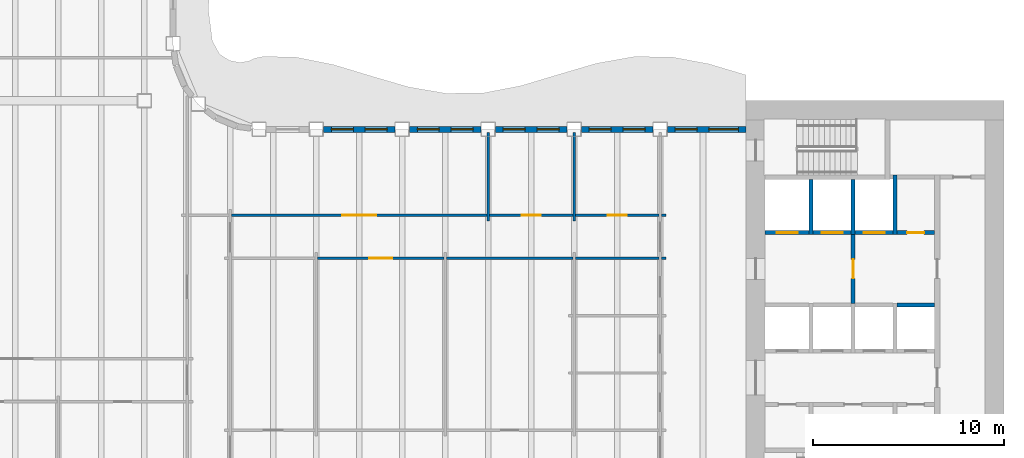
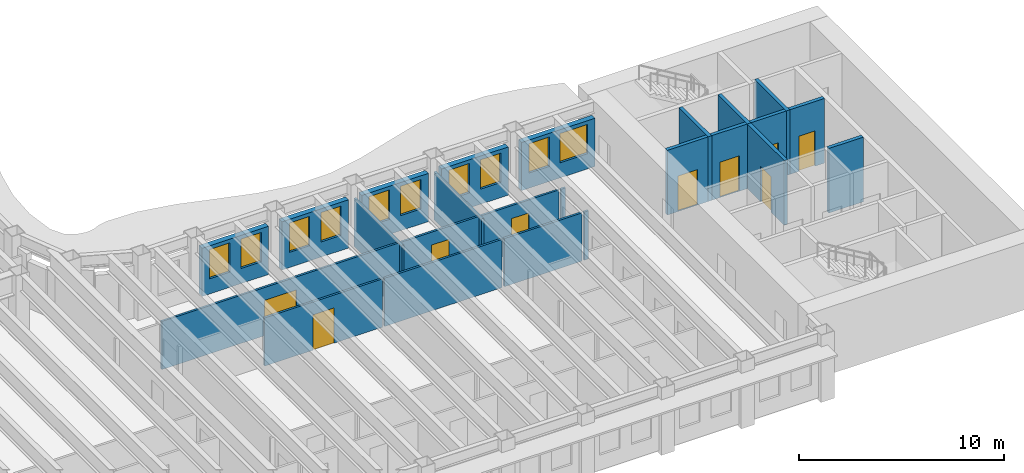
# One storey, part 7 of 17: 24 walls, 10 windows, 9 doors, 19 openings.
"""IFC4 building model written with IfcOpenShell, lengths in metres."""

from ifc_helpers import new_model, si_unit, direction, frame, frame_2d, origin, place, context, subcontext, project, spatial, rectangle, extrude, material, layer, layer_set, type_object, element, fill, save


model = new_model("IFC4")

# Units and contexts
model_context = context("Model", 3, precision=1e-05, world=origin(), true_north=direction((0.0, 1.0)))
body_context = subcontext(model_context, "Body", "Model", "MODEL_VIEW")
ifc_project = project(units=[si_unit("LENGTHUNIT", "METRE"), si_unit("AREAUNIT", "SQUARE_METRE"), si_unit("VOLUMEUNIT", "CUBIC_METRE"), si_unit("PLANEANGLEUNIT", "RADIAN"), si_unit("MASSUNIT", "GRAM", prefix="KILO")], contexts=[model_context])

# Site, building, storey
site_placement = place(None, origin())
site = spatial("IfcSite", under=ifc_project, at=site_placement, CompositionType="ELEMENT")
building_placement = place(site_placement, origin())
building = spatial("IfcBuilding", under=site, at=building_placement, Name="Sennacour Bend Tower", CompositionType="ELEMENT")
storey_placement = place(building_placement, frame((0.0, 0.0, 219.0)))
storey = spatial("IfcBuildingStorey", under=building, at=storey_placement, Name="L50", CompositionType="ELEMENT", Elevation=219.0)

# Walls
ifc_material_1 = material(Name="Plasterboard partition on steel studs", Category="steel")
ifc_layer_1 = layer(ifc_material_1, 0.1201171875, Name="Plasterboard partition on steel studs", Category="steel")
ifc_layer_set_1 = layer_set([ifc_layer_1], Name="Plasterboard partition on steel studs")
wall_type_1 = type_object("IfcWallType", Name="Partition 120", PredefinedType="PARTITIONING", material=ifc_layer_set_1)
for number, where, z_axis, x_axis, name in (
    (1, (40.5, 16.199951171875, 0.0), (0.0, 0.0, 1.0), (0.0, 1.0, 0.0), "P-L50-W029a"),
    (2, (45.0, 16.199951171875, 0.0), (0.0, 0.0, 1.0), (0.0, 1.0, 0.0), "P-L50-W032a"),
):
    element("IfcWall", number, at=place(storey_placement, frame(where, z_axis=z_axis, x_axis=x_axis)), inside=storey, type_object=wall_type_1, Name=name, PredefinedType="PARTITIONING", context=body_context, shape_type="SweptSolid", body=[
        extrude(rectangle(XDim=4.650146484375, YDim=0.1201171875, at=frame_2d((2.3251953125, 0.0))), origin(), (0.0, 0.0, 1.0), 2.8701171875),
    ])

# Wall, opening, door
wall_1_placement = place(storey_placement, frame((31.56005859375, 14.25, 0.0), z_axis=(0.0, 0.0, 1.0), x_axis=(1.0, 0.0, 0.0)))
wall_1 = element("IfcWall", 3, at=wall_1_placement, inside=storey, type_object=wall_type_1, Name="P-L50-W065ac", PredefinedType="PARTITIONING", context=body_context, shape_type="SweptSolid", body=[
    extrude(rectangle(XDim=6.6298828125, YDim=0.1201171875, at=frame_2d((3.31494140625, 0.0))), origin(), (0.0, 0.0, 1.0), 2.8701171875),
])
opening_1_placement = place(wall_1_placement, frame((2.71484375, 0.0, 0.0)))
opening_1 = element("IfcOpeningElement", 4, at=opening_1_placement, cuts=wall_1, Name="Opening OD", PredefinedType="OPENING", context=body_context, shape_type="SweptSolid", body=[
    extrude(rectangle(XDim=1.199951171875, YDim=2.10009765625, at=frame_2d((0.60009765625, 1.050048828125))), frame((0.0, 0.070068359375, 0.0), z_axis=(0.0, -1.0, 0.0), x_axis=(1.0, 0.0, 0.0)), (0.0, 0.0, 1.0), 0.14013671875),
])
ifc_material_2 = material(Name="Timber", Category="wood")
door_type_1 = type_object("IfcDoorType", Name="DR-OFFICE-1200", OperationType="NOTDEFINED", PredefinedType="DOOR", material=ifc_material_2)
door_1_placement = place(opening_1_placement, origin())
door_1 = element("IfcDoor", 5, at=door_1_placement, inside=storey, type_object=door_type_1, Name="Door", OperationType="SINGLE_SWING_LEFT", OverallHeight=2.10009765625, OverallWidth=1.199951171875, PredefinedType="DOOR", context=body_context, shape_type="SweptSolid", body=[
    extrude(rectangle(XDim=1.199951171875, YDim=2.10009765625, at=frame_2d((0.60009765625, 1.050048828125))), frame((0.0, 0.02490234375, 0.0), z_axis=(0.0, -1.0, 0.0), x_axis=(1.0, 0.0, 0.0)), (0.0, 0.0, 1.0), 0.050048828125),
])
fill(opening_1, door_1)

# Walls
wall_2_placement = place(storey_placement, frame((38.31005859375, 14.25, 0.0), z_axis=(0.0, 0.0, 1.0), x_axis=(1.0, 0.0, 0.0)))
element("IfcWall", 6, at=wall_2_placement, inside=storey, type_object=wall_type_1, Name="P-L50-W065ad", PredefinedType="PARTITIONING", context=body_context, shape_type="SweptSolid", body=[
    extrude(rectangle(XDim=6.6298828125, YDim=0.1201171875, at=frame_2d((3.31494140625, 0.0))), origin(), (0.0, 0.0, 1.0), 2.8701171875),
])
wall_3_placement = place(storey_placement, frame((45.06005859375, 14.25, 0.0), z_axis=(0.0, 0.0, 1.0), x_axis=(1.0, 0.0, 0.0)))
element("IfcWall", 7, at=wall_3_placement, inside=storey, type_object=wall_type_1, Name="P-L50-W065ae", PredefinedType="PARTITIONING", context=body_context, shape_type="SweptSolid", body=[
    extrude(rectangle(XDim=4.3798828125, YDim=0.1201171875, at=frame_2d((2.18994140625, 0.0))), origin(), (0.0, 0.0, 1.0), 2.8701171875),
])
wall_4_placement = place(storey_placement, frame((49.56005859375, 14.25, 0.0), z_axis=(0.0, 0.0, 1.0), x_axis=(1.0, 0.0, 0.0)))
element("IfcWall", 8, at=wall_4_placement, inside=storey, type_object=wall_type_1, Name="P-L50-W065af", PredefinedType="PARTITIONING", context=body_context, shape_type="SweptSolid", body=[
    extrude(rectangle(XDim=0.239990234375, YDim=0.1201171875, at=frame_2d((0.1201171875, 0.0))), origin(), (0.0, 0.0, 1.0), 2.8701171875),
])

# Wall, opening, door
wall_5_placement = place(storey_placement, frame((27.06005859375, 16.5, 0.0), z_axis=(0.0, 0.0, 1.0), x_axis=(1.0, 0.0, 0.0)))
wall_5 = element("IfcWall", 9, at=wall_5_placement, inside=storey, type_object=wall_type_1, Name="P-L50-W068ac", PredefinedType="PARTITIONING", context=body_context, shape_type="SweptSolid", body=[
    extrude(rectangle(XDim=13.3798828125, YDim=0.1201171875, at=frame_2d((6.68994140625, 0.0))), origin(), (0.0, 0.0, 1.0), 2.8701171875),
])
opening_2_placement = place(wall_5_placement, frame((5.789794921875, 0.0, 0.0)))
opening_2 = element("IfcOpeningElement", 10, at=opening_2_placement, cuts=wall_5, Name="Opening OD3", PredefinedType="OPENING", context=body_context, shape_type="SweptSolid", body=[
    extrude(rectangle(XDim=1.800048828125, YDim=2.10009765625, at=frame_2d((0.89990234375, 1.050048828125))), frame((0.0, 0.070068359375, 0.0), z_axis=(0.0, -1.0, 0.0), x_axis=(1.0, 0.0, 0.0)), (0.0, 0.0, 1.0), 0.14013671875),
])
door_type_2 = type_object("IfcDoorType", Name="DR-OFFICE-1800", OperationType="NOTDEFINED", PredefinedType="DOOR", material=ifc_material_2)
door_2_placement = place(opening_2_placement, origin())
door_2 = element("IfcDoor", 11, at=door_2_placement, inside=storey, type_object=door_type_2, Name="Door", OperationType="DOUBLE_DOOR_SINGLE_SWING", OverallHeight=2.10009765625, OverallWidth=1.800048828125, PredefinedType="DOOR", context=body_context, shape_type="SweptSolid", body=[
    extrude(rectangle(XDim=1.800048828125, YDim=2.10009765625, at=frame_2d((0.89990234375, 1.050048828125))), frame((0.0, 0.02490234375, 0.0), z_axis=(0.0, -1.0, 0.0), x_axis=(1.0, 0.0, 0.0)), (0.0, 0.0, 1.0), 0.050048828125),
])
fill(opening_2, door_2)

wall_6_placement = place(storey_placement, frame((40.56005859375, 16.5, 0.0), z_axis=(0.0, 0.0, 1.0), x_axis=(1.0, 0.0, 0.0)))
wall_6 = element("IfcWall", 12, at=wall_6_placement, inside=storey, type_object=wall_type_1, Name="P-L50-W068ad", PredefinedType="PARTITIONING", context=body_context, shape_type="SweptSolid", body=[
    extrude(rectangle(XDim=4.3798828125, YDim=0.1201171875, at=frame_2d((2.18994140625, 0.0))), origin(), (0.0, 0.0, 1.0), 2.8701171875),
])
opening_3_placement = place(wall_6_placement, frame((1.68994140625, 0.0, 0.0)))
opening_3 = element("IfcOpeningElement", 13, at=opening_3_placement, cuts=wall_6, Name="Opening OD2", PredefinedType="OPENING", context=body_context, shape_type="SweptSolid", body=[
    extrude(rectangle(XDim=1.0, YDim=2.10009765625, at=frame_2d((0.5, 1.050048828125))), frame((0.0, 0.070068359375, 0.0), z_axis=(0.0, -1.0, 0.0), x_axis=(1.0, 0.0, 0.0)), (0.0, 0.0, 1.0), 0.14013671875),
])
door_type_3 = type_object("IfcDoorType", Name="DR-OFFICE-1000", OperationType="NOTDEFINED", PredefinedType="DOOR", material=ifc_material_2)
door_3_placement = place(opening_3_placement, origin())
door_3 = element("IfcDoor", 14, at=door_3_placement, inside=storey, type_object=door_type_3, Name="Door", OperationType="SINGLE_SWING_LEFT", OverallHeight=2.10009765625, OverallWidth=1.0, PredefinedType="DOOR", context=body_context, shape_type="SweptSolid", body=[
    extrude(rectangle(XDim=1.0, YDim=2.10009765625, at=frame_2d((0.5, 1.050048828125))), frame((0.0, 0.02490234375, 0.0), z_axis=(0.0, -1.0, 0.0), x_axis=(1.0, 0.0, 0.0)), (0.0, 0.0, 1.0), 0.050048828125),
])
fill(opening_3, door_3)

wall_7_placement = place(storey_placement, frame((45.06005859375, 16.5, 0.0), z_axis=(0.0, 0.0, 1.0), x_axis=(1.0, 0.0, 0.0)))
wall_7 = element("IfcWall", 15, at=wall_7_placement, inside=storey, type_object=wall_type_1, Name="P-L50-W068ae", PredefinedType="PARTITIONING", context=body_context, shape_type="SweptSolid", body=[
    extrude(rectangle(XDim=4.3798828125, YDim=0.1201171875, at=frame_2d((2.18994140625, 0.0))), origin(), (0.0, 0.0, 1.0), 2.8701171875),
])
opening_4_placement = place(wall_7_placement, frame((1.68994140625, 0.0, 0.0)))
opening_4 = element("IfcOpeningElement", 16, at=opening_4_placement, cuts=wall_7, Name="Opening OD2", PredefinedType="OPENING", context=body_context, shape_type="SweptSolid", body=[
    extrude(rectangle(XDim=1.0, YDim=2.10009765625, at=frame_2d((0.5, 1.050048828125))), frame((0.0, 0.070068359375, 0.0), z_axis=(0.0, -1.0, 0.0), x_axis=(1.0, 0.0, 0.0)), (0.0, 0.0, 1.0), 0.14013671875),
])
door_4_placement = place(opening_4_placement, origin())
door_4 = element("IfcDoor", 17, at=door_4_placement, inside=storey, type_object=door_type_3, Name="Door", OperationType="SINGLE_SWING_LEFT", OverallHeight=2.10009765625, OverallWidth=1.0, PredefinedType="DOOR", context=body_context, shape_type="SweptSolid", body=[
    extrude(rectangle(XDim=1.0, YDim=2.10009765625, at=frame_2d((0.5, 1.050048828125))), frame((0.0, 0.02490234375, 0.0), z_axis=(0.0, -1.0, 0.0), x_axis=(1.0, 0.0, 0.0)), (0.0, 0.0, 1.0), 0.050048828125),
])
fill(opening_4, door_4)

# Wall
wall_8_placement = place(storey_placement, frame((49.56005859375, 16.5, 0.0), z_axis=(0.0, 0.0, 1.0), x_axis=(1.0, 0.0, 0.0)))
element("IfcWall", 18, at=wall_8_placement, inside=storey, type_object=wall_type_1, Name="P-L50-W068af", PredefinedType="PARTITIONING", context=body_context, shape_type="SweptSolid", body=[
    extrude(rectangle(XDim=0.239990234375, YDim=0.1201171875, at=frame_2d((0.1201171875, 0.0))), origin(), (0.0, 0.0, 1.0), 2.8701171875),
])

# Wall, opening, door
ifc_material_3 = material(Name="Fire-rated plasterboard partition on steel studs", Category="steel")
ifc_layer_2 = layer(ifc_material_3, 0.199951171875, Name="Fire-rated plasterboard partition on steel studs", Category="steel")
ifc_layer_set_2 = layer_set([ifc_layer_2], Name="Fire-rated plasterboard partition on steel studs")
wall_type_2 = type_object("IfcWallType", Name="Rated partition 200", PredefinedType="PARTITIONING", material=ifc_layer_set_2)
wall_9_placement = place(storey_placement, frame((61.89990234375, 15.60009765625, 0.0), z_axis=(0.0, 0.0, 1.0), x_axis=(1.0, 0.0, 0.0)))
wall_9 = element("IfcWall", 19, at=wall_9_placement, inside=storey, type_object=wall_type_2, Name="P-L50-W067", PredefinedType="PARTITIONING", context=body_context, shape_type="SweptSolid", body=[
    extrude(rectangle(XDim=1.9501953125, YDim=0.199951171875, at=frame_2d((0.97509765625, 0.0))), origin(), (0.0, 0.0, 1.0), 3.85009765625),
])
opening_5_placement = place(wall_9_placement, frame((0.525146484375, 0.0, 0.0)))
opening_5 = element("IfcOpeningElement", 20, at=opening_5_placement, cuts=wall_9, Name="Opening SV", PredefinedType="OPENING", context=body_context, shape_type="SweptSolid", body=[
    extrude(rectangle(XDim=0.89990234375, YDim=2.10009765625, at=frame_2d((0.449951171875, 1.050048828125))), frame((0.0, 0.10986328125, 0.0), z_axis=(0.0, -1.0, 0.0), x_axis=(1.0, 0.0, 0.0)), (0.0, 0.0, 1.0), 0.219970703125),
])
ifc_material_4 = material(Name="Painted steel", Category="steel")
door_type_4 = type_object("IfcDoorType", Name="DR-SERVICE-900", OperationType="NOTDEFINED", PredefinedType="DOOR", material=ifc_material_4)
door_5_placement = place(opening_5_placement, origin())
door_5 = element("IfcDoor", 21, at=door_5_placement, inside=storey, type_object=door_type_4, Name="Door", OperationType="SINGLE_SWING_RIGHT", OverallHeight=2.10009765625, OverallWidth=0.89990234375, PredefinedType="DOOR", context=body_context, shape_type="SweptSolid", body=[
    extrude(rectangle(XDim=0.89990234375, YDim=2.10009765625, at=frame_2d((0.449951171875, 1.050048828125))), frame((0.0, 0.02490234375, 0.0), z_axis=(0.0, -1.0, 0.0), x_axis=(1.0, 0.0, 0.0)), (0.0, 0.0, 1.0), 0.050048828125),
])
fill(opening_5, door_5)

ifc_layer_3 = layer(ifc_material_3, 0.199951171875, Name="Fire-rated plasterboard partition on steel studs", Category="steel")
ifc_layer_set_3 = layer_set([ifc_layer_3], Name="Fire-rated plasterboard partition on steel studs")
wall_type_3 = type_object("IfcWallType", Name="Rated partition 200 EI 90", PredefinedType="PARTITIONING", material=ifc_layer_set_3)
wall_10_placement = place(storey_placement, frame((59.60009765625, 11.89990234375, 0.0), z_axis=(0.0, 0.0, 1.0), x_axis=(0.0, 1.0, 0.0)))
wall_10 = element("IfcWall", 22, at=wall_10_placement, inside=storey, type_object=wall_type_3, Name="P-L50-W039", PredefinedType="PARTITIONING", context=body_context, shape_type="SweptSolid", body=[
    extrude(rectangle(XDim=3.60009765625, YDim=0.199951171875, at=frame_2d((1.800048828125, 0.0))), origin(), (0.0, 0.0, 1.0), 3.85009765625),
])
opening_6_placement = place(wall_10_placement, frame((1.300048828125, 0.0, 0.0)))
opening_6 = element("IfcOpeningElement", 23, at=opening_6_placement, cuts=wall_10, Name="Opening FD2", PredefinedType="OPENING", context=body_context, shape_type="SweptSolid", body=[
    extrude(rectangle(XDim=1.0, YDim=2.10009765625, at=frame_2d((0.5, 1.050048828125))), frame((0.0, 0.10986328125, 0.0), z_axis=(0.0, -1.0, 0.0), x_axis=(1.0, 0.0, 0.0)), (0.0, 0.0, 1.0), 0.219970703125),
])
door_type_5 = type_object("IfcDoorType", Name="DR-FFL-1000", OperationType="NOTDEFINED", PredefinedType="DOOR", material=ifc_material_4)
door_6_placement = place(opening_6_placement, origin())
door_6 = element("IfcDoor", 24, at=door_6_placement, inside=storey, type_object=door_type_5, Name="Door", OperationType="SINGLE_SWING_LEFT", OverallHeight=2.10009765625, OverallWidth=1.0, PredefinedType="DOOR", context=body_context, shape_type="SweptSolid", body=[
    extrude(rectangle(XDim=1.0, YDim=2.10009765625, at=frame_2d((0.5, 1.050048828125))), frame((0.0, 0.02490234375, 0.0), z_axis=(0.0, -1.0, 0.0), x_axis=(1.0, 0.0, 0.0)), (0.0, 0.0, 1.0), 0.050048828125),
])
fill(opening_6, door_6)

# Wall, openings, windows
ifc_material_5 = material(Name="Warm limestone cladding", Category="masonry")
ifc_layer_4 = layer(ifc_material_5, 0.050048828125, Name="Warm limestone cladding", Category="masonry")
ifc_material_6 = material(Name="Precast concrete C40/50", Category="concrete")
ifc_layer_5 = layer(ifc_material_6, 0.25, Name="Precast concrete C40/50", Category="concrete")
ifc_layer_set_4 = layer_set([ifc_layer_4, ifc_layer_5], Name="Precast concrete C40/50 with limestone cladding")
wall_type_4 = type_object("IfcWallType", Name="STONE-CLAD PRECAST SPANDREL 300", PredefinedType="STANDARD", material=ifc_layer_set_4)
wall_11_placement = place(storey_placement, frame((54.0, 21.0, 0.0), z_axis=(0.0, 0.0, 1.0), x_axis=(-1.0, 0.0, 0.0)))
wall_11 = element("IfcWall", 25, at=wall_11_placement, inside=storey, type_object=wall_type_4, Name="Stone spandrel and pier wall L50 06.00", PredefinedType="STANDARD", context=body_context, shape_type="SweptSolid", body=[
    extrude(rectangle(XDim=4.125, YDim=0.300048828125, at=frame_2d((2.0625, 0.0))), origin(), (0.0, 0.0, 1.0), 2.8701171875),
])
opening_7_placement = place(wall_11_placement, frame((0.39990234375, 0.0, 0.89990234375)))
opening_7 = element("IfcOpeningElement", 26, at=opening_7_placement, cuts=wall_11, Name="Opening W12", PredefinedType="OPENING", context=body_context, shape_type="SweptSolid", body=[
    extrude(rectangle(XDim=1.550048828125, YDim=1.75, at=frame_2d((0.77490234375, 0.875))), frame((0.0, 0.16015625, 0.0), z_axis=(0.0, -1.0, 0.0), x_axis=(1.0, 0.0, 0.0)), (0.0, 0.0, 1.0), 0.320068359375),
])
opening_8_placement = place(wall_11_placement, frame((2.5625, 0.0, 0.89990234375)))
opening_8 = element("IfcOpeningElement", 27, at=opening_8_placement, cuts=wall_11, Name="Opening W23", PredefinedType="OPENING", context=body_context, shape_type="SweptSolid", body=[
    extrude(rectangle(XDim=1.14990234375, YDim=1.75, at=frame_2d((0.574951171875, 0.875))), frame((0.0, 0.16015625, 0.0), z_axis=(0.0, -1.0, 0.0), x_axis=(1.0, 0.0, 0.0)), (0.0, 0.0, 1.0), 0.320068359375),
])
ifc_material_7 = material(Name="Clear low-emissivity glass", Category="glass")
window_type_1 = type_object("IfcWindowType", Name="WIN-RIBBON-1150x1750", PartitioningType="SINGLE_PANEL", PredefinedType="WINDOW", material=ifc_material_7)
window_1_placement = place(opening_8_placement, origin())
window_1 = element("IfcWindow", 28, at=window_1_placement, inside=storey, type_object=window_type_1, Name="Ribbon window L50 06.00.1", OverallHeight=1.75, OverallWidth=1.14990234375, PartitioningType="SINGLE_PANEL", PredefinedType="WINDOW", context=body_context, shape_type="SweptSolid", body=[
    extrude(rectangle(XDim=1.14990234375, YDim=1.75, at=frame_2d((0.574951171875, 0.875))), frame((0.0, 0.030029296875, 0.0), z_axis=(0.0, -1.0, 0.0), x_axis=(1.0, 0.0, 0.0)), (0.0, 0.0, 1.0), 0.06005859375),
])
fill(opening_8, window_1)
window_type_2 = type_object("IfcWindowType", Name="WIN-RIBBON-1550x1750", PartitioningType="SINGLE_PANEL", PredefinedType="WINDOW", material=ifc_material_7)
window_2_placement = place(opening_7_placement, origin())
window_2 = element("IfcWindow", 29, at=window_2_placement, inside=storey, type_object=window_type_2, Name="Ribbon window L50 06.00.0", OverallHeight=1.75, OverallWidth=1.550048828125, PartitioningType="SINGLE_PANEL", PredefinedType="WINDOW", context=body_context, shape_type="SweptSolid", body=[
    extrude(rectangle(XDim=1.550048828125, YDim=1.75, at=frame_2d((0.77490234375, 0.875))), frame((0.0, 0.030029296875, 0.0), z_axis=(0.0, -1.0, 0.0), x_axis=(1.0, 0.0, 0.0)), (0.0, 0.0, 1.0), 0.06005859375),
])
fill(opening_7, window_2)

wall_12_placement = place(storey_placement, frame((49.125, 21.0, 0.0), z_axis=(0.0, 0.0, 1.0), x_axis=(-1.0, 0.0, 0.0)))
wall_12 = element("IfcWall", 30, at=wall_12_placement, inside=storey, type_object=wall_type_4, Name="Stone spandrel and pier wall L50 06.01", PredefinedType="STANDARD", context=body_context, shape_type="SweptSolid", body=[
    extrude(rectangle(XDim=3.75, YDim=0.300048828125, at=frame_2d((1.875, 0.0))), origin(), (0.0, 0.0, 1.0), 2.8701171875),
])
opening_9_placement = place(wall_12_placement, frame((0.41259765625, 0.0, 0.89990234375)))
opening_9 = element("IfcOpeningElement", 31, at=opening_9_placement, cuts=wall_12, Name="Opening W23", PredefinedType="OPENING", context=body_context, shape_type="SweptSolid", body=[
    extrude(rectangle(XDim=1.14990234375, YDim=1.75, at=frame_2d((0.574951171875, 0.875))), frame((0.0, 0.16015625, 0.0), z_axis=(0.0, -1.0, 0.0), x_axis=(1.0, 0.0, 0.0)), (0.0, 0.0, 1.0), 0.320068359375),
])
opening_10_placement = place(wall_12_placement, frame((2.1875, 0.0, 0.89990234375)))
opening_10 = element("IfcOpeningElement", 32, at=opening_10_placement, cuts=wall_12, Name="Opening W23", PredefinedType="OPENING", context=body_context, shape_type="SweptSolid", body=[
    extrude(rectangle(XDim=1.14990234375, YDim=1.75, at=frame_2d((0.574951171875, 0.875))), frame((0.0, 0.16015625, 0.0), z_axis=(0.0, -1.0, 0.0), x_axis=(1.0, 0.0, 0.0)), (0.0, 0.0, 1.0), 0.320068359375),
])
window_3_placement = place(opening_9_placement, origin())
window_3 = element("IfcWindow", 33, at=window_3_placement, inside=storey, type_object=window_type_1, Name="Ribbon window L50 06.01.0", OverallHeight=1.75, OverallWidth=1.14990234375, PartitioningType="SINGLE_PANEL", PredefinedType="WINDOW", context=body_context, shape_type="SweptSolid", body=[
    extrude(rectangle(XDim=1.14990234375, YDim=1.75, at=frame_2d((0.574951171875, 0.875))), frame((0.0, 0.030029296875, 0.0), z_axis=(0.0, -1.0, 0.0), x_axis=(1.0, 0.0, 0.0)), (0.0, 0.0, 1.0), 0.06005859375),
])
fill(opening_9, window_3)
window_4_placement = place(opening_10_placement, origin())
window_4 = element("IfcWindow", 34, at=window_4_placement, inside=storey, type_object=window_type_1, Name="Ribbon window L50 06.01.1", OverallHeight=1.75, OverallWidth=1.14990234375, PartitioningType="SINGLE_PANEL", PredefinedType="WINDOW", context=body_context, shape_type="SweptSolid", body=[
    extrude(rectangle(XDim=1.14990234375, YDim=1.75, at=frame_2d((0.574951171875, 0.875))), frame((0.0, 0.030029296875, 0.0), z_axis=(0.0, -1.0, 0.0), x_axis=(1.0, 0.0, 0.0)), (0.0, 0.0, 1.0), 0.06005859375),
])
fill(opening_10, window_4)

wall_13_placement = place(storey_placement, frame((44.625, 21.0, 0.0), z_axis=(0.0, 0.0, 1.0), x_axis=(-1.0, 0.0, 0.0)))
wall_13 = element("IfcWall", 35, at=wall_13_placement, inside=storey, type_object=wall_type_4, Name="Stone spandrel and pier wall L50 06.02", PredefinedType="STANDARD", context=body_context, shape_type="SweptSolid", body=[
    extrude(rectangle(XDim=3.75, YDim=0.300048828125, at=frame_2d((1.875, 0.0))), origin(), (0.0, 0.0, 1.0), 2.8701171875),
])
opening_11_placement = place(wall_13_placement, frame((0.41259765625, 0.0, 0.89990234375)))
opening_11 = element("IfcOpeningElement", 36, at=opening_11_placement, cuts=wall_13, Name="Opening W23", PredefinedType="OPENING", context=body_context, shape_type="SweptSolid", body=[
    extrude(rectangle(XDim=1.14990234375, YDim=1.75, at=frame_2d((0.574951171875, 0.875))), frame((0.0, 0.16015625, 0.0), z_axis=(0.0, -1.0, 0.0), x_axis=(1.0, 0.0, 0.0)), (0.0, 0.0, 1.0), 0.320068359375),
])
opening_12_placement = place(wall_13_placement, frame((2.1875, 0.0, 0.89990234375)))
opening_12 = element("IfcOpeningElement", 37, at=opening_12_placement, cuts=wall_13, Name="Opening W23", PredefinedType="OPENING", context=body_context, shape_type="SweptSolid", body=[
    extrude(rectangle(XDim=1.14990234375, YDim=1.75, at=frame_2d((0.574951171875, 0.875))), frame((0.0, 0.16015625, 0.0), z_axis=(0.0, -1.0, 0.0), x_axis=(1.0, 0.0, 0.0)), (0.0, 0.0, 1.0), 0.320068359375),
])
window_5_placement = place(opening_11_placement, origin())
window_5 = element("IfcWindow", 38, at=window_5_placement, inside=storey, type_object=window_type_1, Name="Ribbon window L50 06.02.0", OverallHeight=1.75, OverallWidth=1.14990234375, PartitioningType="SINGLE_PANEL", PredefinedType="WINDOW", context=body_context, shape_type="SweptSolid", body=[
    extrude(rectangle(XDim=1.14990234375, YDim=1.75, at=frame_2d((0.574951171875, 0.875))), frame((0.0, 0.030029296875, 0.0), z_axis=(0.0, -1.0, 0.0), x_axis=(1.0, 0.0, 0.0)), (0.0, 0.0, 1.0), 0.06005859375),
])
fill(opening_11, window_5)
window_6_placement = place(opening_12_placement, origin())
window_6 = element("IfcWindow", 39, at=window_6_placement, inside=storey, type_object=window_type_1, Name="Ribbon window L50 06.02.1", OverallHeight=1.75, OverallWidth=1.14990234375, PartitioningType="SINGLE_PANEL", PredefinedType="WINDOW", context=body_context, shape_type="SweptSolid", body=[
    extrude(rectangle(XDim=1.14990234375, YDim=1.75, at=frame_2d((0.574951171875, 0.875))), frame((0.0, 0.030029296875, 0.0), z_axis=(0.0, -1.0, 0.0), x_axis=(1.0, 0.0, 0.0)), (0.0, 0.0, 1.0), 0.06005859375),
])
fill(opening_12, window_6)

wall_14_placement = place(storey_placement, frame((40.125, 21.0, 0.0), z_axis=(0.0, 0.0, 1.0), x_axis=(-1.0, 0.0, 0.0)))
wall_14 = element("IfcWall", 40, at=wall_14_placement, inside=storey, type_object=wall_type_4, Name="Stone spandrel and pier wall L50 06.03", PredefinedType="STANDARD", context=body_context, shape_type="SweptSolid", body=[
    extrude(rectangle(XDim=3.75, YDim=0.300048828125, at=frame_2d((1.875, 0.0))), origin(), (0.0, 0.0, 1.0), 2.8701171875),
])
opening_13_placement = place(wall_14_placement, frame((0.41259765625, 0.0, 0.89990234375)))
opening_13 = element("IfcOpeningElement", 41, at=opening_13_placement, cuts=wall_14, Name="Opening W23", PredefinedType="OPENING", context=body_context, shape_type="SweptSolid", body=[
    extrude(rectangle(XDim=1.14990234375, YDim=1.75, at=frame_2d((0.574951171875, 0.875))), frame((0.0, 0.16015625, 0.0), z_axis=(0.0, -1.0, 0.0), x_axis=(1.0, 0.0, 0.0)), (0.0, 0.0, 1.0), 0.320068359375),
])
opening_14_placement = place(wall_14_placement, frame((2.1875, 0.0, 0.89990234375)))
opening_14 = element("IfcOpeningElement", 42, at=opening_14_placement, cuts=wall_14, Name="Opening W23", PredefinedType="OPENING", context=body_context, shape_type="SweptSolid", body=[
    extrude(rectangle(XDim=1.14990234375, YDim=1.75, at=frame_2d((0.574951171875, 0.875))), frame((0.0, 0.16015625, 0.0), z_axis=(0.0, -1.0, 0.0), x_axis=(1.0, 0.0, 0.0)), (0.0, 0.0, 1.0), 0.320068359375),
])
window_7_placement = place(opening_13_placement, origin())
window_7 = element("IfcWindow", 43, at=window_7_placement, inside=storey, type_object=window_type_1, Name="Ribbon window L50 06.03.0", OverallHeight=1.75, OverallWidth=1.14990234375, PartitioningType="SINGLE_PANEL", PredefinedType="WINDOW", context=body_context, shape_type="SweptSolid", body=[
    extrude(rectangle(XDim=1.14990234375, YDim=1.75, at=frame_2d((0.574951171875, 0.875))), frame((0.0, 0.030029296875, 0.0), z_axis=(0.0, -1.0, 0.0), x_axis=(1.0, 0.0, 0.0)), (0.0, 0.0, 1.0), 0.06005859375),
])
fill(opening_13, window_7)
window_8_placement = place(opening_14_placement, origin())
window_8 = element("IfcWindow", 44, at=window_8_placement, inside=storey, type_object=window_type_1, Name="Ribbon window L50 06.03.1", OverallHeight=1.75, OverallWidth=1.14990234375, PartitioningType="SINGLE_PANEL", PredefinedType="WINDOW", context=body_context, shape_type="SweptSolid", body=[
    extrude(rectangle(XDim=1.14990234375, YDim=1.75, at=frame_2d((0.574951171875, 0.875))), frame((0.0, 0.030029296875, 0.0), z_axis=(0.0, -1.0, 0.0), x_axis=(1.0, 0.0, 0.0)), (0.0, 0.0, 1.0), 0.06005859375),
])
fill(opening_14, window_8)

wall_15_placement = place(storey_placement, frame((35.625, 21.0, 0.0), z_axis=(0.0, 0.0, 1.0), x_axis=(-1.0, 0.0, 0.0)))
wall_15 = element("IfcWall", 45, at=wall_15_placement, inside=storey, type_object=wall_type_4, Name="Stone spandrel and pier wall L50 06.04", PredefinedType="STANDARD", context=body_context, shape_type="SweptSolid", body=[
    extrude(rectangle(XDim=3.75, YDim=0.300048828125, at=frame_2d((1.875, 0.0))), origin(), (0.0, 0.0, 1.0), 2.8701171875),
])
opening_15_placement = place(wall_15_placement, frame((0.41259765625, 0.0, 0.89990234375)))
opening_15 = element("IfcOpeningElement", 46, at=opening_15_placement, cuts=wall_15, Name="Opening W23", PredefinedType="OPENING", context=body_context, shape_type="SweptSolid", body=[
    extrude(rectangle(XDim=1.14990234375, YDim=1.75, at=frame_2d((0.574951171875, 0.875))), frame((0.0, 0.16015625, 0.0), z_axis=(0.0, -1.0, 0.0), x_axis=(1.0, 0.0, 0.0)), (0.0, 0.0, 1.0), 0.320068359375),
])
opening_16_placement = place(wall_15_placement, frame((2.1875, 0.0, 0.89990234375)))
opening_16 = element("IfcOpeningElement", 47, at=opening_16_placement, cuts=wall_15, Name="Opening W23", PredefinedType="OPENING", context=body_context, shape_type="SweptSolid", body=[
    extrude(rectangle(XDim=1.14990234375, YDim=1.75, at=frame_2d((0.574951171875, 0.875))), frame((0.0, 0.16015625, 0.0), z_axis=(0.0, -1.0, 0.0), x_axis=(1.0, 0.0, 0.0)), (0.0, 0.0, 1.0), 0.320068359375),
])
window_9_placement = place(opening_15_placement, origin())
window_9 = element("IfcWindow", 48, at=window_9_placement, inside=storey, type_object=window_type_1, Name="Ribbon window L50 06.04.0", OverallHeight=1.75, OverallWidth=1.14990234375, PartitioningType="SINGLE_PANEL", PredefinedType="WINDOW", context=body_context, shape_type="SweptSolid", body=[
    extrude(rectangle(XDim=1.14990234375, YDim=1.75, at=frame_2d((0.574951171875, 0.875))), frame((0.0, 0.030029296875, 0.0), z_axis=(0.0, -1.0, 0.0), x_axis=(1.0, 0.0, 0.0)), (0.0, 0.0, 1.0), 0.06005859375),
])
fill(opening_15, window_9)
window_10_placement = place(opening_16_placement, origin())
window_10 = element("IfcWindow", 49, at=window_10_placement, inside=storey, type_object=window_type_1, Name="Ribbon window L50 06.04.1", OverallHeight=1.75, OverallWidth=1.14990234375, PartitioningType="SINGLE_PANEL", PredefinedType="WINDOW", context=body_context, shape_type="SweptSolid", body=[
    extrude(rectangle(XDim=1.14990234375, YDim=1.75, at=frame_2d((0.574951171875, 0.875))), frame((0.0, 0.030029296875, 0.0), z_axis=(0.0, -1.0, 0.0), x_axis=(1.0, 0.0, 0.0)), (0.0, 0.0, 1.0), 0.06005859375),
])
fill(opening_16, window_10)

# Walls
ifc_material_8 = material(Name="Concrete C50/60", Category="concrete")
ifc_layer_6 = layer(ifc_material_8, 0.199951171875, Name="Concrete C50/60", Category="concrete")
ifc_layer_set_5 = layer_set([ifc_layer_6], Name="Concrete C50/60")
wall_type_5 = type_object("IfcWallType", Name="Shaft wall 200", PredefinedType="SOLIDWALL", material=ifc_layer_set_5)
for number, where, z_axis, x_axis, name in (
    (50, (57.39990234375, 15.5, 0.0), (0.0, 0.0, 1.0), (0.0, 1.0, 0.0), "P-L50-W037"),
    (51, (59.60009765625, 15.5, 0.0), (0.0, 0.0, 1.0), (0.0, 1.0, 0.0), "P-L50-W040"),
):
    element("IfcWall", number, at=place(storey_placement, frame(where, z_axis=z_axis, x_axis=x_axis)), inside=storey, type_object=wall_type_5, Name=name, PredefinedType="SOLIDWALL", context=body_context, shape_type="SweptSolid", body=[
        extrude(rectangle(XDim=2.875, YDim=0.199951171875, at=frame_2d((1.4375, 0.0))), origin(), (0.0, 0.0, 1.0), 3.85009765625),
    ])
wall_16_placement = place(storey_placement, frame((61.800048828125, 15.5, 0.0), z_axis=(0.0, 0.0, 1.0), x_axis=(0.0, 1.0, 0.0)))
element("IfcWall", 52, at=wall_16_placement, inside=storey, type_object=wall_type_5, Name="P-L50-W045", PredefinedType="SOLIDWALL", context=body_context, shape_type="SweptSolid", body=[
    extrude(rectangle(XDim=3.10009765625, YDim=0.199951171875, at=frame_2d((1.550048828125, 0.0))), origin(), (0.0, 0.0, 1.0), 3.85009765625),
])
wall_17_placement = place(storey_placement, frame((61.89990234375, 11.800048828125, 0.0), z_axis=(0.0, 0.0, 1.0), x_axis=(1.0, 0.0, 0.0)))
element("IfcWall", 53, at=wall_17_placement, inside=storey, type_object=wall_type_5, Name="P-L50-W063d", PredefinedType="SOLIDWALL", context=body_context, shape_type="SweptSolid", body=[
    extrude(rectangle(XDim=1.9501953125, YDim=0.199951171875, at=frame_2d((0.97509765625, 0.0))), origin(), (0.0, 0.0, 1.0), 3.85009765625),
])

# Wall, opening, door
wall_18_placement = place(storey_placement, frame((55.0, 15.60009765625, 0.0), z_axis=(0.0, 0.0, 1.0), x_axis=(1.0, 0.0, 0.0)))
wall_18 = element("IfcWall", 54, at=wall_18_placement, inside=storey, type_object=wall_type_5, Name="P-L50-W066a", PredefinedType="SOLIDWALL", context=body_context, shape_type="SweptSolid", body=[
    extrude(rectangle(XDim=2.300048828125, YDim=0.199951171875, at=frame_2d((1.14990234375, 0.0))), origin(), (0.0, 0.0, 1.0), 3.85009765625),
])
opening_17_placement = place(wall_18_placement, frame((0.60009765625, 0.0, 0.011962890625)))
opening_17 = element("IfcOpeningElement", 55, at=opening_17_placement, cuts=wall_18, Name="Opening FLD", PredefinedType="OPENING", context=body_context, shape_type="SweptSolid", body=[
    extrude(rectangle(XDim=1.10009765625, YDim=2.10009765625, at=frame_2d((0.550048828125, 1.050048828125))), frame((0.0, 0.10986328125, 0.0), z_axis=(0.0, -1.0, 0.0), x_axis=(1.0, 0.0, 0.0)), (0.0, 0.0, 1.0), 0.219970703125),
])
ifc_material_9 = material(Name="Stainless steel", Category="steel")
door_type_6 = type_object("IfcDoorType", Name="DR-FF-LANDING-1100", OperationType="NOTDEFINED", PredefinedType="DOOR", material=ifc_material_9)
door_7_placement = place(opening_17_placement, origin())
door_7 = element("IfcDoor", 56, at=door_7_placement, inside=storey, type_object=door_type_6, Name="Fire service lift landing door FA1", OperationType="SLIDING_TO_LEFT", OverallHeight=2.10009765625, OverallWidth=1.10009765625, PredefinedType="DOOR", context=body_context, shape_type="SweptSolid", body=[
    extrude(rectangle(XDim=1.10009765625, YDim=2.10009765625, at=frame_2d((0.550048828125, 1.050048828125))), frame((0.0, 0.02490234375, 0.0), z_axis=(0.0, -1.0, 0.0), x_axis=(1.0, 0.0, 0.0)), (0.0, 0.0, 1.0), 0.050048828125),
])
fill(opening_17, door_7)

wall_19_placement = place(storey_placement, frame((57.5, 15.60009765625, 0.0), z_axis=(0.0, 0.0, 1.0), x_axis=(1.0, 0.0, 0.0)))
wall_19 = element("IfcWall", 57, at=wall_19_placement, inside=storey, type_object=wall_type_5, Name="P-L50-W066b", PredefinedType="SOLIDWALL", context=body_context, shape_type="SweptSolid", body=[
    extrude(rectangle(XDim=2.0, YDim=0.199951171875, at=frame_2d((1.0, 0.0))), origin(), (0.0, 0.0, 1.0), 3.85009765625),
])
opening_18_placement = place(wall_19_placement, frame((0.449951171875, 0.0, 0.011962890625)))
opening_18 = element("IfcOpeningElement", 58, at=opening_18_placement, cuts=wall_19, Name="Opening FLD", PredefinedType="OPENING", context=body_context, shape_type="SweptSolid", body=[
    extrude(rectangle(XDim=1.10009765625, YDim=2.10009765625, at=frame_2d((0.550048828125, 1.050048828125))), frame((0.0, 0.10986328125, 0.0), z_axis=(0.0, -1.0, 0.0), x_axis=(1.0, 0.0, 0.0)), (0.0, 0.0, 1.0), 0.219970703125),
])
door_8_placement = place(opening_18_placement, origin())
door_8 = element("IfcDoor", 59, at=door_8_placement, inside=storey, type_object=door_type_6, Name="Fire service lift landing door FA2", OperationType="SLIDING_TO_RIGHT", OverallHeight=2.10009765625, OverallWidth=1.10009765625, PredefinedType="DOOR", context=body_context, shape_type="SweptSolid", body=[
    extrude(rectangle(XDim=1.10009765625, YDim=2.10009765625, at=frame_2d((0.550048828125, 1.050048828125))), frame((0.0, 0.02490234375, 0.0), z_axis=(0.0, -1.0, 0.0), x_axis=(1.0, 0.0, 0.0)), (0.0, 0.0, 1.0), 0.050048828125),
])
fill(opening_18, door_8)

wall_20_placement = place(storey_placement, frame((59.699951171875, 15.60009765625, 0.0), z_axis=(0.0, 0.0, 1.0), x_axis=(1.0, 0.0, 0.0)))
wall_20 = element("IfcWall", 60, at=wall_20_placement, inside=storey, type_object=wall_type_5, Name="P-L50-W066c", PredefinedType="SOLIDWALL", context=body_context, shape_type="SweptSolid", body=[
    extrude(rectangle(XDim=2.0, YDim=0.199951171875, at=frame_2d((1.0, 0.0))), origin(), (0.0, 0.0, 1.0), 3.85009765625),
])
opening_19_placement = place(wall_20_placement, frame((0.449951171875, 0.0, 0.011962890625)))
opening_19 = element("IfcOpeningElement", 61, at=opening_19_placement, cuts=wall_20, Name="Opening LD", PredefinedType="OPENING", context=body_context, shape_type="SweptSolid", body=[
    extrude(rectangle(XDim=1.10009765625, YDim=2.10009765625, at=frame_2d((0.550048828125, 1.050048828125))), frame((0.0, 0.10986328125, 0.0), z_axis=(0.0, -1.0, 0.0), x_axis=(1.0, 0.0, 0.0)), (0.0, 0.0, 1.0), 0.219970703125),
])
door_type_7 = type_object("IfcDoorType", Name="DR-LANDING-1100", OperationType="NOTDEFINED", PredefinedType="DOOR", material=ifc_material_9)
door_9_placement = place(opening_19_placement, origin())
door_9 = element("IfcDoor", 62, at=door_9_placement, inside=storey, type_object=door_type_7, Name="Lift landing door HA5", OperationType="SLIDING_TO_LEFT", OverallHeight=2.10009765625, OverallWidth=1.10009765625, PredefinedType="DOOR", context=body_context, shape_type="SweptSolid", body=[
    extrude(rectangle(XDim=1.10009765625, YDim=2.10009765625, at=frame_2d((0.550048828125, 1.050048828125))), frame((0.0, 0.02490234375, 0.0), z_axis=(0.0, -1.0, 0.0), x_axis=(1.0, 0.0, 0.0)), (0.0, 0.0, 1.0), 0.050048828125),
])
fill(opening_19, door_9)

save(model, "model.ifc")
